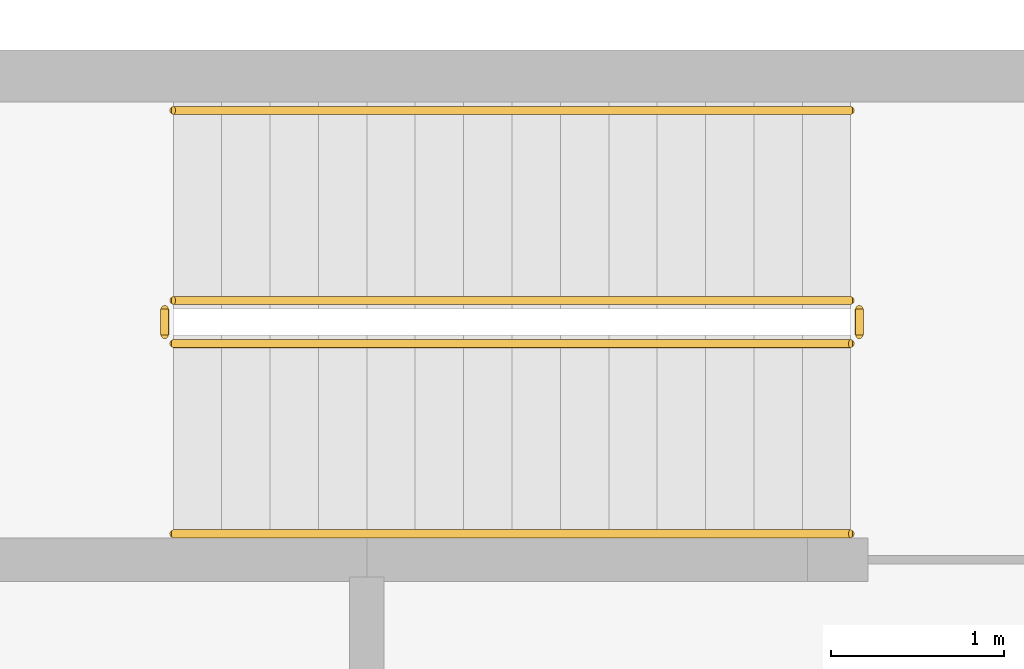
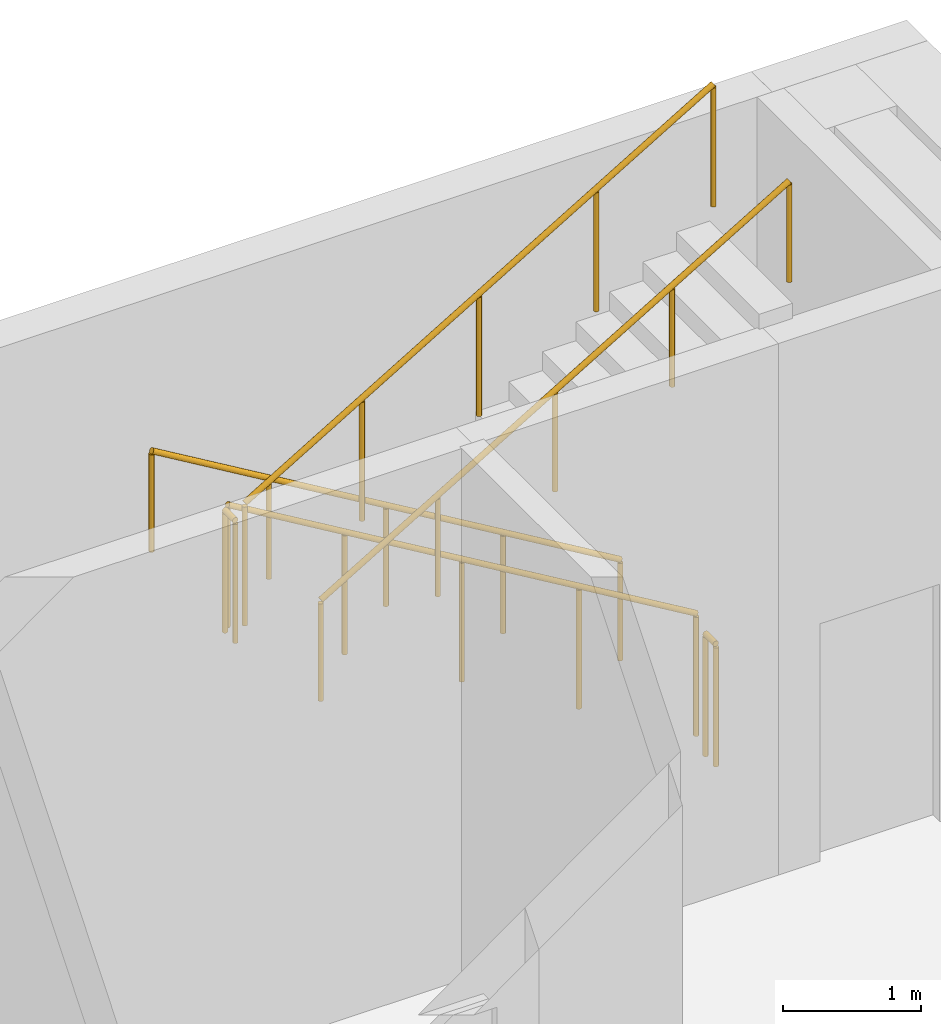
# One storey, part 23 of 24: 6 railings.
"""IFC4 building model written with IfcOpenShell, lengths in metres."""

from ifc_helpers import new_model, si_unit, direction, frame, origin, origin_2d, place, context, subcontext, project, spatial, circle, extrude, material, type_object, element, save


model = new_model("IFC4")

# Units and contexts
model_context = context("Model", 3, precision=1e-05, world=origin(), true_north=direction((0.0, 1.0)))
body_context = subcontext(model_context, "Body", "Model", "MODEL_VIEW")
ifc_project = project(units=[si_unit("LENGTHUNIT", "METRE"), si_unit("AREAUNIT", "SQUARE_METRE"), si_unit("VOLUMEUNIT", "CUBIC_METRE"), si_unit("PLANEANGLEUNIT", "RADIAN"), si_unit("MASSUNIT", "GRAM", prefix="KILO")], contexts=[model_context])

# Site, building, storey
site_placement = place(None, origin())
site = spatial("IfcSite", under=ifc_project, at=site_placement, CompositionType="ELEMENT")
building_placement = place(site_placement, origin())
building = spatial("IfcBuilding", under=site, at=building_placement, Name="Girih Gate Residences", CompositionType="ELEMENT")
storey_placement = place(building_placement, frame((0.0, 0.0, 11.0)))
storey = spatial("IfcBuildingStorey", under=building, at=storey_placement, Name="L02", CompositionType="ELEMENT", Elevation=11.0)

# Railings
ifc_material = material(Name="Stainless steel railing", Category="steel")
railing_type_1 = type_object("IfcRailingType", Name="HC Guard 1100", PredefinedType="GUARDRAIL", material=ifc_material)
railing_1_placement = place(storey_placement, frame((87.75, 43.550048828125, 0.166748046875)))
element("IfcRailing", 1, at=railing_1_placement, inside=storey, type_object=railing_type_1, Name="L02 HC-STB stair guard 1", PredefinedType="GUARDRAIL", context=body_context, shape_type="SweptSolid", body=[
    extrude(circle(Radius=0.02392578125, at=origin_2d()), frame((0.0, 0.0, 1.076171875), z_axis=(-0.859296244711, 0.0, 0.511478214419), x_axis=(0.0, -1.0, 0.0)), (0.0, 0.0, 1.0), 4.561767578125),
    extrude(circle(Radius=0.02099609375, at=origin_2d()), origin(), (0.0, 0.0, 1.0), 1.052001953125),
    extrude(circle(Radius=0.02099609375, at=origin_2d()), frame((-0.97998046875, 0.0, 0.583251953125)), (0.0, 0.0, 1.0), 1.052001953125),
    extrude(circle(Radius=0.02099609375, at=origin_2d()), frame((-1.9599609375, 0.0, 1.16650390625)), (0.0, 0.0, 1.0), 1.052001953125),
    extrude(circle(Radius=0.02099609375, at=origin_2d()), frame((-2.93994140625, 0.0, 1.75)), (0.0, 0.0, 1.0), 1.052001953125),
    extrude(circle(Radius=0.02099609375, at=origin_2d()), frame((-3.919921875, 0.0, 2.333251953125)), (0.0, 0.0, 1.0), 1.052001953125),
])
railing_2_placement = place(storey_placement, frame((83.780029296875, 43.5, 2.5)))
element("IfcRailing", 2, at=railing_2_placement, inside=storey, type_object=railing_type_1, Name="L02 HC-STB stair guard 2", PredefinedType="GUARDRAIL", context=body_context, shape_type="SweptSolid", body=[
    extrude(circle(Radius=0.02392578125, at=origin_2d()), frame((0.0, 0.0, 1.076171875), z_axis=(0.0, -1.0, 0.0), x_axis=(1.0, 0.0, 0.0)), (0.0, 0.0, 1.0), 0.14990234375),
    extrude(circle(Radius=0.02099609375, at=origin_2d()), origin(), (0.0, 0.0, 1.0), 1.052001953125),
    extrude(circle(Radius=0.02099609375, at=origin_2d()), frame((0.0, -0.14990234375, 0.0)), (0.0, 0.0, 1.0), 1.052001953125),
])
railing_3_placement = place(storey_placement, frame((83.830078125, 43.300048828125, 2.666748046875)))
element("IfcRailing", 3, at=railing_3_placement, inside=storey, type_object=railing_type_1, Name="L02 HC-STB stair guard 3", PredefinedType="GUARDRAIL", context=body_context, shape_type="SweptSolid", body=[
    extrude(circle(Radius=0.02392578125, at=origin_2d()), frame((0.0, 0.0, 1.076171875), z_axis=(0.859296244711, 0.0, 0.511478214419), x_axis=(0.0, 1.0, 0.0)), (0.0, 0.0, 1.0), 4.561767578125),
    extrude(circle(Radius=0.02099609375, at=origin_2d()), origin(), (0.0, 0.0, 1.0), 1.052001953125),
    extrude(circle(Radius=0.02099609375, at=origin_2d()), frame((0.97998046875, 0.0, 0.583251953125)), (0.0, 0.0, 1.0), 1.052001953125),
    extrude(circle(Radius=0.02099609375, at=origin_2d()), frame((1.9599609375, 0.0, 1.16650390625)), (0.0, 0.0, 1.0), 1.052001953125),
    extrude(circle(Radius=0.02099609375, at=origin_2d()), frame((2.93994140625, 0.0, 1.75)), (0.0, 0.0, 1.0), 1.052001953125),
    extrude(circle(Radius=0.02099609375, at=origin_2d()), frame((3.919921875, 0.0, 2.333251953125)), (0.0, 0.0, 1.0), 1.052001953125),
])
railing_4_placement = place(storey_placement, frame((87.800048828125, 43.5, 0.0)))
element("IfcRailing", 4, at=railing_4_placement, inside=storey, type_object=railing_type_1, Name="L02 HC-STB stair guard 4", PredefinedType="GUARDRAIL", context=body_context, shape_type="SweptSolid", body=[
    extrude(circle(Radius=0.02392578125, at=origin_2d()), frame((0.0, 0.0, 1.076171875), z_axis=(0.0, -1.0, 0.0), x_axis=(1.0, 0.0, 0.0)), (0.0, 0.0, 1.0), 0.14990234375),
    extrude(circle(Radius=0.02099609375, at=origin_2d()), origin(), (0.0, 0.0, 1.0), 1.052001953125),
    extrude(circle(Radius=0.02099609375, at=origin_2d()), frame((0.0, -0.14990234375, 0.0)), (0.0, 0.0, 1.0), 1.052001953125),
])
railing_type_2 = type_object("IfcRailingType", Name="HC Handrail 900", PredefinedType="HANDRAIL", material=ifc_material)
railing_5_placement = place(storey_placement, frame((87.75, 44.64990234375, 0.166748046875)))
element("IfcRailing", 5, at=railing_5_placement, inside=storey, type_object=railing_type_2, Name="L02 HC-STB stair handrail 1", PredefinedType="HANDRAIL", context=body_context, shape_type="SweptSolid", body=[
    extrude(circle(Radius=0.02392578125, at=origin_2d()), frame((0.0, 0.0, 0.8857421875), z_axis=(-0.859296244711, 0.0, 0.511478214419), x_axis=(0.0, -1.0, 0.0)), (0.0, 0.0, 1.0), 4.561767578125),
    extrude(circle(Radius=0.02099609375, at=origin_2d()), origin(), (0.0, 0.0, 1.0), 0.86181640625),
    extrude(circle(Radius=0.02099609375, at=origin_2d()), frame((-0.97998046875, 0.0, 0.583251953125)), (0.0, 0.0, 1.0), 0.86181640625),
    extrude(circle(Radius=0.02099609375, at=origin_2d()), frame((-1.9599609375, 0.0, 1.16650390625)), (0.0, 0.0, 1.0), 0.86181640625),
    extrude(circle(Radius=0.02099609375, at=origin_2d()), frame((-2.93994140625, 0.0, 1.75)), (0.0, 0.0, 1.0), 0.86181640625),
    extrude(circle(Radius=0.02099609375, at=origin_2d()), frame((-3.919921875, 0.0, 2.333251953125)), (0.0, 0.0, 1.0), 0.86181640625),
])
railing_6_placement = place(storey_placement, frame((83.830078125, 42.199951171875, 2.666748046875)))
element("IfcRailing", 6, at=railing_6_placement, inside=storey, type_object=railing_type_2, Name="L02 HC-STB stair handrail 2", PredefinedType="HANDRAIL", context=body_context, shape_type="SweptSolid", body=[
    extrude(circle(Radius=0.02392578125, at=origin_2d()), frame((0.0, 0.0, 0.8857421875), z_axis=(0.859296244711, 0.0, 0.511478214419), x_axis=(0.0, 1.0, 0.0)), (0.0, 0.0, 1.0), 4.561767578125),
    extrude(circle(Radius=0.02099609375, at=origin_2d()), origin(), (0.0, 0.0, 1.0), 0.86181640625),
    extrude(circle(Radius=0.02099609375, at=origin_2d()), frame((0.97998046875, 0.0, 0.583251953125)), (0.0, 0.0, 1.0), 0.86181640625),
    extrude(circle(Radius=0.02099609375, at=origin_2d()), frame((1.9599609375, 0.0, 1.16650390625)), (0.0, 0.0, 1.0), 0.86181640625),
    extrude(circle(Radius=0.02099609375, at=origin_2d()), frame((2.93994140625, 0.0, 1.75)), (0.0, 0.0, 1.0), 0.86181640625),
    extrude(circle(Radius=0.02099609375, at=origin_2d()), frame((3.919921875, 0.0, 2.333251953125)), (0.0, 0.0, 1.0), 0.86181640625),
])

save(model, "model.ifc")
